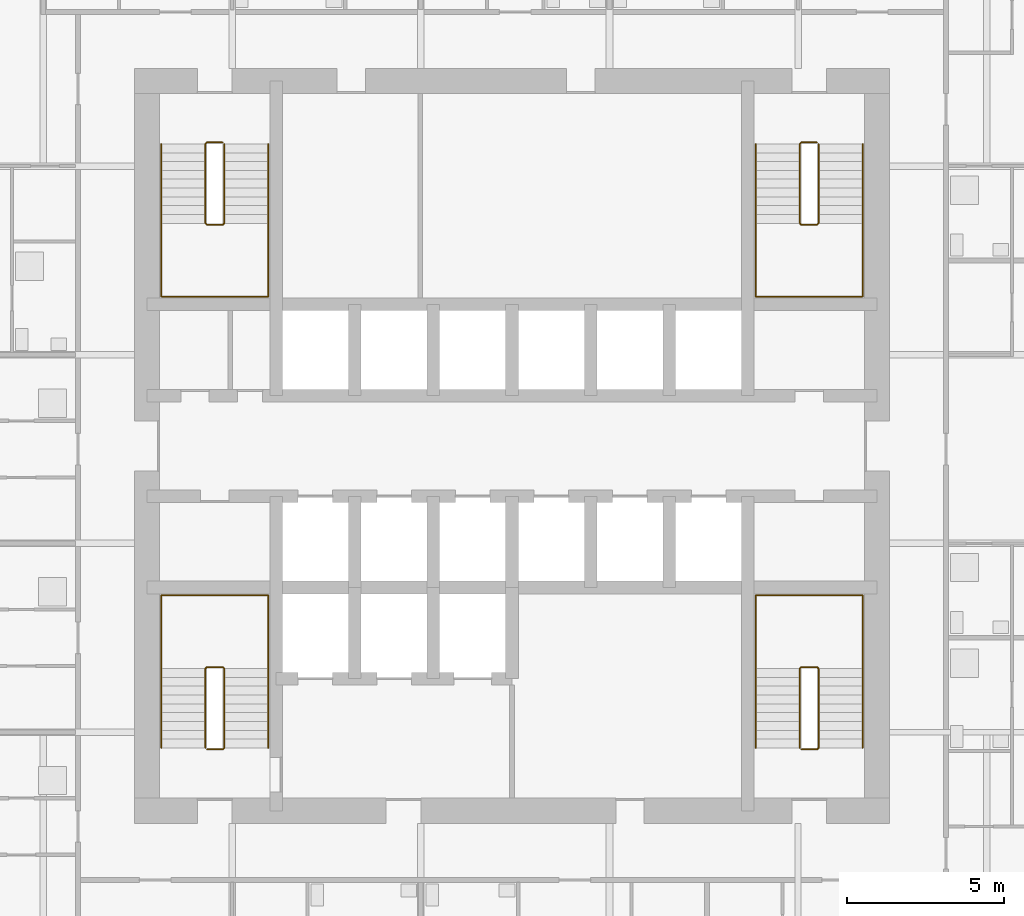
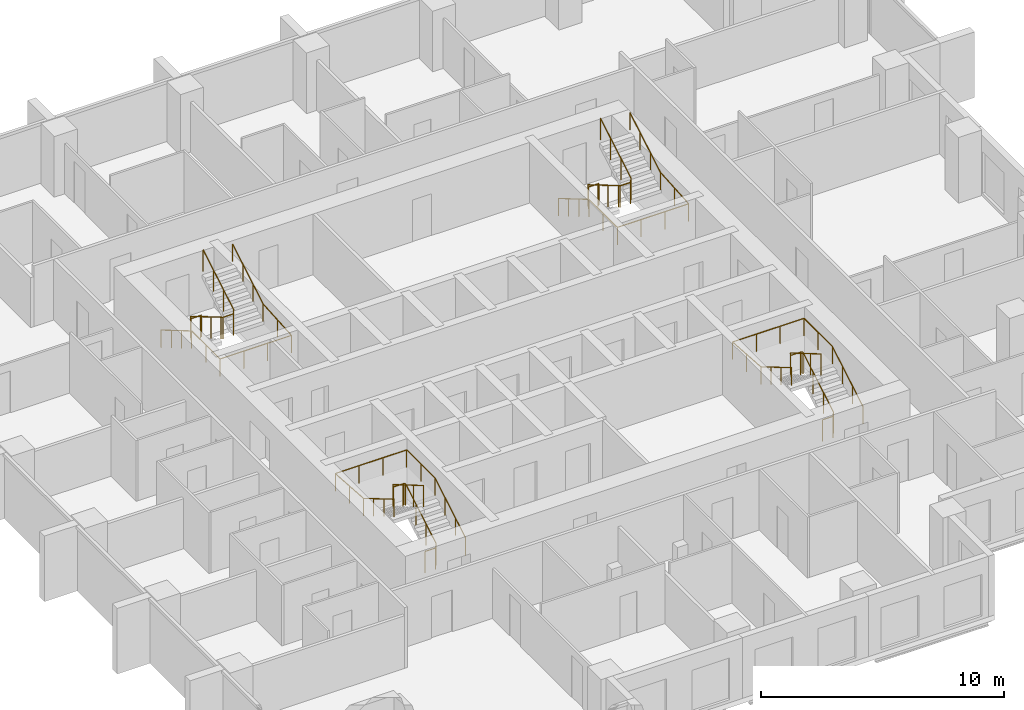
# One storey, part 9 of 10: 8 railings.
"""IFC4 building model written with IfcOpenShell, lengths in metres."""

from ifc_helpers import new_model, si_unit, direction, frame, origin, origin_2d, place, context, subcontext, project, spatial, circle, extrude, material, type_object, element, save


model = new_model("IFC4")

# Units and contexts
model_context = context("Model", 3, precision=1e-05, world=origin(), true_north=direction((0.0, 1.0)))
body_context = subcontext(model_context, "Body", "Model", "MODEL_VIEW")
ifc_project = project(units=[si_unit("LENGTHUNIT", "METRE"), si_unit("AREAUNIT", "SQUARE_METRE"), si_unit("VOLUMEUNIT", "CUBIC_METRE"), si_unit("PLANEANGLEUNIT", "RADIAN"), si_unit("MASSUNIT", "GRAM", prefix="KILO")], contexts=[model_context])

# Site, building, storey
site_placement = place(None, origin())
site = spatial("IfcSite", under=ifc_project, at=site_placement, CompositionType="ELEMENT")
building_placement = place(site_placement, origin())
building = spatial("IfcBuilding", under=site, at=building_placement, Name="Amberfall Residences", CompositionType="ELEMENT")
storey_placement = place(building_placement, frame((0.0, 0.0, 105.10009765625)))
storey = spatial("IfcBuildingStorey", under=building, at=storey_placement, Name="L28", CompositionType="ELEMENT", Elevation=105.10009765625)

# Railings
ifc_material = material(Name="Stainless steel 316", Category="steel")
railing_type_1 = type_object("IfcRailingType", Name="Stair guard 1100", PredefinedType="GUARDRAIL", material=ifc_material)
railing_1_placement = place(storey_placement, frame((64.800048828125, 35.85009765625, 0.0)))
element("IfcRailing", 1, at=railing_1_placement, inside=storey, type_object=railing_type_1, Name="L28 stair 1 guard", PredefinedType="GUARDRAIL", context=body_context, shape_type="SweptSolid", body=[
    extrude(circle(Radius=0.02392578125, at=origin_2d()), frame((0.0, 0.0, 1.076171875), z_axis=(1.0, 0.0, 0.0), x_axis=(0.0, 1.0, 0.0)), (0.0, 0.0, 1.0), 0.5),
    extrude(circle(Radius=0.02392578125, at=origin_2d()), frame((0.5, 0.0, 1.076171875), z_axis=(0.279159454702, 0.277797701265, 0.919183570361), x_axis=(-0.705375805398, 0.708833529934, 0.0)), (0.0, 0.0, 1.0), 0.17919921875),
    extrude(circle(Radius=0.02392578125, at=origin_2d()), frame((0.550048828125, 0.0498046875, 1.24072265625), z_axis=(0.0, 0.86152411907, 0.507716645641), x_axis=(-1.0, 0.0, 0.0)), (0.0, 0.0, 1.0), 2.925048828125),
    extrude(circle(Radius=0.02392578125, at=origin_2d()), frame((0.550048828125, 2.56982421875, 2.72607421875), z_axis=(-0.707106781187, 0.707106781187, 0.0), x_axis=(-0.707106781187, -0.707106781187, 0.0)), (0.0, 0.0, 1.0), 0.07080078125),
    extrude(circle(Radius=0.02392578125, at=origin_2d()), frame((0.5, 2.619873046875, 2.72607421875), z_axis=(-1.0, 0.0, 0.0), x_axis=(0.0, -1.0, 0.0)), (0.0, 0.0, 1.0), 0.5),
    extrude(circle(Radius=0.02392578125, at=origin_2d()), frame((0.0, 2.619873046875, 2.72607421875), z_axis=(-0.278705021027, -0.278705021027, 0.919046801044), x_axis=(0.707106781187, -0.707106781187, 0.0)), (0.0, 0.0, 1.0), 0.1796875),
    extrude(circle(Radius=0.02392578125, at=origin_2d()), frame((-0.050048828125, 2.56982421875, 2.89111328125), z_axis=(0.0, -0.861560626758, 0.507654692109), x_axis=(1.0, 0.0, 0.0)), (0.0, 0.0, 1.0), 2.925048828125),
    extrude(circle(Radius=0.02099609375, at=origin_2d()), origin(), (0.0, 0.0, 1.0), 1.052001953125),
    extrude(circle(Radius=0.02099609375, at=origin_2d()), frame((0.5, 0.0, 0.0)), (0.0, 0.0, 1.0), 1.052001953125),
    extrude(circle(Radius=0.02099609375, at=origin_2d()), frame((0.550048828125, 0.0498046875, 0.164794921875)), (0.0, 0.0, 1.0), 1.052001953125),
    extrude(circle(Radius=0.02099609375, at=origin_2d()), frame((0.550048828125, 0.889892578125, 0.659912109375)), (0.0, 0.0, 1.0), 1.052001953125),
    extrude(circle(Radius=0.02099609375, at=origin_2d()), frame((0.550048828125, 1.729736328125, 1.15478515625)), (0.0, 0.0, 1.0), 1.052001953125),
    extrude(circle(Radius=0.02099609375, at=origin_2d()), frame((0.550048828125, 2.56982421875, 1.64990234375)), (0.0, 0.0, 1.0), 1.052001953125),
    extrude(circle(Radius=0.02099609375, at=origin_2d()), frame((0.5, 2.619873046875, 1.64990234375)), (0.0, 0.0, 1.0), 1.052001953125),
    extrude(circle(Radius=0.02099609375, at=origin_2d()), frame((0.0, 2.619873046875, 1.64990234375)), (0.0, 0.0, 1.0), 1.052001953125),
    extrude(circle(Radius=0.02099609375, at=origin_2d()), frame((-0.050048828125, 2.56982421875, 1.81494140625)), (0.0, 0.0, 1.0), 1.052001953125),
    extrude(circle(Radius=0.02099609375, at=origin_2d()), frame((-0.050048828125, 1.729736328125, 2.309814453125)), (0.0, 0.0, 1.0), 1.052001953125),
    extrude(circle(Radius=0.02099609375, at=origin_2d()), frame((-0.050048828125, 0.889892578125, 2.804931640625)), (0.0, 0.0, 1.0), 1.052001953125),
    extrude(circle(Radius=0.02099609375, at=origin_2d()), frame((-0.050048828125, 0.0498046875, 3.2998046875)), (0.0, 0.0, 1.0), 1.052001953125),
])
railing_2_placement = place(storey_placement, frame((83.699951171875, 35.85009765625, 0.0)))
element("IfcRailing", 2, at=railing_2_placement, inside=storey, type_object=railing_type_1, Name="L28 stair 2 guard", PredefinedType="GUARDRAIL", context=body_context, shape_type="SweptSolid", body=[
    extrude(circle(Radius=0.02392578125, at=origin_2d()), frame((0.0, 0.0, 1.076171875), z_axis=(1.0, 0.0, 0.0), x_axis=(0.0, 1.0, 0.0)), (0.0, 0.0, 1.0), 0.5),
    extrude(circle(Radius=0.02392578125, at=origin_2d()), frame((0.5, 0.0, 1.076171875), z_axis=(0.279159454702, 0.277797701265, 0.919183570361), x_axis=(-0.705375805398, 0.708833529934, 0.0)), (0.0, 0.0, 1.0), 0.17919921875),
    extrude(circle(Radius=0.02392578125, at=origin_2d()), frame((0.550048828125, 0.0498046875, 1.24072265625), z_axis=(0.0, 0.86152411907, 0.507716645641), x_axis=(-1.0, 0.0, 0.0)), (0.0, 0.0, 1.0), 2.925048828125),
    extrude(circle(Radius=0.02392578125, at=origin_2d()), frame((0.550048828125, 2.56982421875, 2.72607421875), z_axis=(-0.707106781187, 0.707106781187, 0.0), x_axis=(-0.707106781187, -0.707106781187, 0.0)), (0.0, 0.0, 1.0), 0.07080078125),
    extrude(circle(Radius=0.02392578125, at=origin_2d()), frame((0.5, 2.619873046875, 2.72607421875), z_axis=(-1.0, 0.0, 0.0), x_axis=(0.0, -1.0, 0.0)), (0.0, 0.0, 1.0), 0.5),
    extrude(circle(Radius=0.02392578125, at=origin_2d()), frame((0.0, 2.619873046875, 2.72607421875), z_axis=(-0.278705021027, -0.278705021027, 0.919046801044), x_axis=(0.707106781187, -0.707106781187, 0.0)), (0.0, 0.0, 1.0), 0.1796875),
    extrude(circle(Radius=0.02392578125, at=origin_2d()), frame((-0.050048828125, 2.56982421875, 2.89111328125), z_axis=(0.0, -0.861560626758, 0.507654692109), x_axis=(1.0, 0.0, 0.0)), (0.0, 0.0, 1.0), 2.925048828125),
    extrude(circle(Radius=0.02099609375, at=origin_2d()), origin(), (0.0, 0.0, 1.0), 1.052001953125),
    extrude(circle(Radius=0.02099609375, at=origin_2d()), frame((0.5, 0.0, 0.0)), (0.0, 0.0, 1.0), 1.052001953125),
    extrude(circle(Radius=0.02099609375, at=origin_2d()), frame((0.550048828125, 0.0498046875, 0.164794921875)), (0.0, 0.0, 1.0), 1.052001953125),
    extrude(circle(Radius=0.02099609375, at=origin_2d()), frame((0.550048828125, 0.889892578125, 0.659912109375)), (0.0, 0.0, 1.0), 1.052001953125),
    extrude(circle(Radius=0.02099609375, at=origin_2d()), frame((0.550048828125, 1.729736328125, 1.15478515625)), (0.0, 0.0, 1.0), 1.052001953125),
    extrude(circle(Radius=0.02099609375, at=origin_2d()), frame((0.550048828125, 2.56982421875, 1.64990234375)), (0.0, 0.0, 1.0), 1.052001953125),
    extrude(circle(Radius=0.02099609375, at=origin_2d()), frame((0.5, 2.619873046875, 1.64990234375)), (0.0, 0.0, 1.0), 1.052001953125),
    extrude(circle(Radius=0.02099609375, at=origin_2d()), frame((0.0, 2.619873046875, 1.64990234375)), (0.0, 0.0, 1.0), 1.052001953125),
    extrude(circle(Radius=0.02099609375, at=origin_2d()), frame((-0.050048828125, 2.56982421875, 1.81494140625)), (0.0, 0.0, 1.0), 1.052001953125),
    extrude(circle(Radius=0.02099609375, at=origin_2d()), frame((-0.050048828125, 1.729736328125, 2.309814453125)), (0.0, 0.0, 1.0), 1.052001953125),
    extrude(circle(Radius=0.02099609375, at=origin_2d()), frame((-0.050048828125, 0.889892578125, 2.804931640625)), (0.0, 0.0, 1.0), 1.052001953125),
    extrude(circle(Radius=0.02099609375, at=origin_2d()), frame((-0.050048828125, 0.0498046875, 3.2998046875)), (0.0, 0.0, 1.0), 1.052001953125),
])
railing_3_placement = place(storey_placement, frame((84.199951171875, 55.14990234375, 0.0)))
element("IfcRailing", 3, at=railing_3_placement, inside=storey, type_object=railing_type_1, Name="L28 stair 3 guard", PredefinedType="GUARDRAIL", context=body_context, shape_type="SweptSolid", body=[
    extrude(circle(Radius=0.02392578125, at=origin_2d()), frame((0.0, 0.0, 1.076171875), z_axis=(-1.0, 0.0, 0.0), x_axis=(0.0, -1.0, 0.0)), (0.0, 0.0, 1.0), 0.5),
    extrude(circle(Radius=0.02392578125, at=origin_2d()), frame((-0.5, 0.0, 1.076171875), z_axis=(-0.279159454702, -0.277797701265, 0.919183570361), x_axis=(0.705375805398, -0.708833529934, 0.0)), (0.0, 0.0, 1.0), 0.17919921875),
    extrude(circle(Radius=0.02392578125, at=origin_2d()), frame((-0.550048828125, -0.0498046875, 1.24072265625), z_axis=(0.0, -0.86152411907, 0.507716645641), x_axis=(1.0, 0.0, 0.0)), (0.0, 0.0, 1.0), 2.925048828125),
    extrude(circle(Radius=0.02392578125, at=origin_2d()), frame((-0.550048828125, -2.56982421875, 2.72607421875), z_axis=(0.707106781187, -0.707106781187, 0.0), x_axis=(0.707106781187, 0.707106781187, 0.0)), (0.0, 0.0, 1.0), 0.07080078125),
    extrude(circle(Radius=0.02392578125, at=origin_2d()), frame((-0.5, -2.619873046875, 2.72607421875), z_axis=(1.0, 0.0, 0.0), x_axis=(0.0, 1.0, 0.0)), (0.0, 0.0, 1.0), 0.5),
    extrude(circle(Radius=0.02392578125, at=origin_2d()), frame((0.0, -2.619873046875, 2.72607421875), z_axis=(0.278705021027, 0.278705021027, 0.919046801044), x_axis=(-0.707106781187, 0.707106781187, 0.0)), (0.0, 0.0, 1.0), 0.1796875),
    extrude(circle(Radius=0.02392578125, at=origin_2d()), frame((0.050048828125, -2.56982421875, 2.89111328125), z_axis=(0.0, 0.861560626758, 0.507654692109), x_axis=(-1.0, 0.0, 0.0)), (0.0, 0.0, 1.0), 2.925048828125),
    extrude(circle(Radius=0.02099609375, at=origin_2d()), origin(), (0.0, 0.0, 1.0), 1.052001953125),
    extrude(circle(Radius=0.02099609375, at=origin_2d()), frame((-0.5, 0.0, 0.0)), (0.0, 0.0, 1.0), 1.052001953125),
    extrude(circle(Radius=0.02099609375, at=origin_2d()), frame((-0.550048828125, -0.0498046875, 0.164794921875)), (0.0, 0.0, 1.0), 1.052001953125),
    extrude(circle(Radius=0.02099609375, at=origin_2d()), frame((-0.550048828125, -0.889892578125, 0.659912109375)), (0.0, 0.0, 1.0), 1.052001953125),
    extrude(circle(Radius=0.02099609375, at=origin_2d()), frame((-0.550048828125, -1.729736328125, 1.15478515625)), (0.0, 0.0, 1.0), 1.052001953125),
    extrude(circle(Radius=0.02099609375, at=origin_2d()), frame((-0.550048828125, -2.56982421875, 1.64990234375)), (0.0, 0.0, 1.0), 1.052001953125),
    extrude(circle(Radius=0.02099609375, at=origin_2d()), frame((-0.5, -2.619873046875, 1.64990234375)), (0.0, 0.0, 1.0), 1.052001953125),
    extrude(circle(Radius=0.02099609375, at=origin_2d()), frame((0.0, -2.619873046875, 1.64990234375)), (0.0, 0.0, 1.0), 1.052001953125),
    extrude(circle(Radius=0.02099609375, at=origin_2d()), frame((0.050048828125, -2.56982421875, 1.81494140625)), (0.0, 0.0, 1.0), 1.052001953125),
    extrude(circle(Radius=0.02099609375, at=origin_2d()), frame((0.050048828125, -1.729736328125, 2.309814453125)), (0.0, 0.0, 1.0), 1.052001953125),
    extrude(circle(Radius=0.02099609375, at=origin_2d()), frame((0.050048828125, -0.889892578125, 2.804931640625)), (0.0, 0.0, 1.0), 1.052001953125),
    extrude(circle(Radius=0.02099609375, at=origin_2d()), frame((0.050048828125, -0.0498046875, 3.2998046875)), (0.0, 0.0, 1.0), 1.052001953125),
])
railing_4_placement = place(storey_placement, frame((65.300048828125, 55.14990234375, 0.0)))
element("IfcRailing", 4, at=railing_4_placement, inside=storey, type_object=railing_type_1, Name="L28 stair 4 guard", PredefinedType="GUARDRAIL", context=body_context, shape_type="SweptSolid", body=[
    extrude(circle(Radius=0.02392578125, at=origin_2d()), frame((0.0, 0.0, 1.076171875), z_axis=(-1.0, 0.0, 0.0), x_axis=(0.0, -1.0, 0.0)), (0.0, 0.0, 1.0), 0.5),
    extrude(circle(Radius=0.02392578125, at=origin_2d()), frame((-0.5, 0.0, 1.076171875), z_axis=(-0.279159454702, -0.277797701265, 0.919183570361), x_axis=(0.705375805398, -0.708833529934, 0.0)), (0.0, 0.0, 1.0), 0.17919921875),
    extrude(circle(Radius=0.02392578125, at=origin_2d()), frame((-0.550048828125, -0.0498046875, 1.24072265625), z_axis=(0.0, -0.86152411907, 0.507716645641), x_axis=(1.0, 0.0, 0.0)), (0.0, 0.0, 1.0), 2.925048828125),
    extrude(circle(Radius=0.02392578125, at=origin_2d()), frame((-0.550048828125, -2.56982421875, 2.72607421875), z_axis=(0.707106781187, -0.707106781187, 0.0), x_axis=(0.707106781187, 0.707106781187, 0.0)), (0.0, 0.0, 1.0), 0.07080078125),
    extrude(circle(Radius=0.02392578125, at=origin_2d()), frame((-0.5, -2.619873046875, 2.72607421875), z_axis=(1.0, 0.0, 0.0), x_axis=(0.0, 1.0, 0.0)), (0.0, 0.0, 1.0), 0.5),
    extrude(circle(Radius=0.02392578125, at=origin_2d()), frame((0.0, -2.619873046875, 2.72607421875), z_axis=(0.278705021027, 0.278705021027, 0.919046801044), x_axis=(-0.707106781187, 0.707106781187, 0.0)), (0.0, 0.0, 1.0), 0.1796875),
    extrude(circle(Radius=0.02392578125, at=origin_2d()), frame((0.050048828125, -2.56982421875, 2.89111328125), z_axis=(0.0, 0.861560626758, 0.507654692109), x_axis=(-1.0, 0.0, 0.0)), (0.0, 0.0, 1.0), 2.925048828125),
    extrude(circle(Radius=0.02099609375, at=origin_2d()), origin(), (0.0, 0.0, 1.0), 1.052001953125),
    extrude(circle(Radius=0.02099609375, at=origin_2d()), frame((-0.5, 0.0, 0.0)), (0.0, 0.0, 1.0), 1.052001953125),
    extrude(circle(Radius=0.02099609375, at=origin_2d()), frame((-0.550048828125, -0.0498046875, 0.164794921875)), (0.0, 0.0, 1.0), 1.052001953125),
    extrude(circle(Radius=0.02099609375, at=origin_2d()), frame((-0.550048828125, -0.889892578125, 0.659912109375)), (0.0, 0.0, 1.0), 1.052001953125),
    extrude(circle(Radius=0.02099609375, at=origin_2d()), frame((-0.550048828125, -1.729736328125, 1.15478515625)), (0.0, 0.0, 1.0), 1.052001953125),
    extrude(circle(Radius=0.02099609375, at=origin_2d()), frame((-0.550048828125, -2.56982421875, 1.64990234375)), (0.0, 0.0, 1.0), 1.052001953125),
    extrude(circle(Radius=0.02099609375, at=origin_2d()), frame((-0.5, -2.619873046875, 1.64990234375)), (0.0, 0.0, 1.0), 1.052001953125),
    extrude(circle(Radius=0.02099609375, at=origin_2d()), frame((0.0, -2.619873046875, 1.64990234375)), (0.0, 0.0, 1.0), 1.052001953125),
    extrude(circle(Radius=0.02099609375, at=origin_2d()), frame((0.050048828125, -2.56982421875, 1.81494140625)), (0.0, 0.0, 1.0), 1.052001953125),
    extrude(circle(Radius=0.02099609375, at=origin_2d()), frame((0.050048828125, -1.729736328125, 2.309814453125)), (0.0, 0.0, 1.0), 1.052001953125),
    extrude(circle(Radius=0.02099609375, at=origin_2d()), frame((0.050048828125, -0.889892578125, 2.804931640625)), (0.0, 0.0, 1.0), 1.052001953125),
    extrude(circle(Radius=0.02099609375, at=origin_2d()), frame((0.050048828125, -0.0498046875, 3.2998046875)), (0.0, 0.0, 1.0), 1.052001953125),
])
railing_type_2 = type_object("IfcRailingType", Name="Stair handrail 900", PredefinedType="HANDRAIL", material=ifc_material)
railing_5_placement = place(storey_placement, frame((66.75, 35.89990234375, 0.164794921875)))
element("IfcRailing", 5, at=railing_5_placement, inside=storey, type_object=railing_type_2, Name="L28 stair 1 handrail", PredefinedType="HANDRAIL", context=body_context, shape_type="SweptSolid", body=[
    extrude(circle(Radius=0.02392578125, at=origin_2d()), frame((0.0, 0.0, 0.8759765625), z_axis=(0.0, 0.86152411907, 0.507716645641), x_axis=(-1.0, 0.0, 0.0)), (0.0, 0.0, 1.0), 2.925048828125),
    extrude(circle(Radius=0.02392578125, at=origin_2d()), frame((0.0, 2.52001953125, 2.36083984375), z_axis=(0.0, 1.0, 0.0), x_axis=(-1.0, 0.0, 0.0)), (0.0, 0.0, 1.0), 2.330078125),
    extrude(circle(Radius=0.02392578125, at=origin_2d()), frame((0.0, 4.85009765625, 2.36083984375), z_axis=(-1.0, 0.0, 0.0), x_axis=(0.0, -1.0, 0.0)), (0.0, 0.0, 1.0), 3.39990234375),
    extrude(circle(Radius=0.02392578125, at=origin_2d()), frame((-3.39990234375, 4.85009765625, 2.36083984375), z_axis=(0.0, -0.997500965899, 0.07065283455), x_axis=(1.0, 0.0, 0.0)), (0.0, 0.0, 1.0), 2.3359375),
    extrude(circle(Radius=0.02392578125, at=origin_2d()), frame((-3.39990234375, 2.52001953125, 2.52587890625), z_axis=(0.0, -0.861560626758, 0.507654692109), x_axis=(1.0, 0.0, 0.0)), (0.0, 0.0, 1.0), 2.925048828125),
    extrude(circle(Radius=0.02099609375, at=origin_2d()), origin(), (0.0, 0.0, 1.0), 0.851806640625),
    extrude(circle(Radius=0.02099609375, at=origin_2d()), frame((0.0, 0.840087890625, 0.4951171875)), (0.0, 0.0, 1.0), 0.851806640625),
    extrude(circle(Radius=0.02099609375, at=origin_2d()), frame((0.0, 1.679931640625, 0.989990234375)), (0.0, 0.0, 1.0), 0.851806640625),
    extrude(circle(Radius=0.02099609375, at=origin_2d()), frame((0.0, 2.52001953125, 1.485107421875)), (0.0, 0.0, 1.0), 0.851806640625),
    extrude(circle(Radius=0.02099609375, at=origin_2d()), frame((0.0, 3.68505859375, 1.485107421875)), (0.0, 0.0, 1.0), 0.851806640625),
    extrude(circle(Radius=0.02099609375, at=origin_2d()), frame((0.0, 4.85009765625, 1.485107421875)), (0.0, 0.0, 1.0), 0.851806640625),
    extrude(circle(Radius=0.02099609375, at=origin_2d()), frame((-1.13330078125, 4.85009765625, 1.485107421875)), (0.0, 0.0, 1.0), 0.851806640625),
    extrude(circle(Radius=0.02099609375, at=origin_2d()), frame((-2.2666015625, 4.85009765625, 1.485107421875)), (0.0, 0.0, 1.0), 0.851806640625),
    extrude(circle(Radius=0.02099609375, at=origin_2d()), frame((-3.39990234375, 4.85009765625, 1.485107421875)), (0.0, 0.0, 1.0), 0.851806640625),
    extrude(circle(Radius=0.02099609375, at=origin_2d()), frame((-3.39990234375, 3.68505859375, 1.567626953125)), (0.0, 0.0, 1.0), 0.851806640625),
    extrude(circle(Radius=0.02099609375, at=origin_2d()), frame((-3.39990234375, 2.52001953125, 1.650146484375)), (0.0, 0.0, 1.0), 0.851806640625),
    extrude(circle(Radius=0.02099609375, at=origin_2d()), frame((-3.39990234375, 1.679931640625, 2.14501953125)), (0.0, 0.0, 1.0), 0.851806640625),
    extrude(circle(Radius=0.02099609375, at=origin_2d()), frame((-3.39990234375, 0.840087890625, 2.64013671875)), (0.0, 0.0, 1.0), 0.851806640625),
    extrude(circle(Radius=0.02099609375, at=origin_2d()), frame((-3.39990234375, 0.0, 3.135009765625)), (0.0, 0.0, 1.0), 0.851806640625),
])
railing_6_placement = place(storey_placement, frame((85.64990234375, 35.89990234375, 0.164794921875)))
element("IfcRailing", 6, at=railing_6_placement, inside=storey, type_object=railing_type_2, Name="L28 stair 2 handrail", PredefinedType="HANDRAIL", context=body_context, shape_type="SweptSolid", body=[
    extrude(circle(Radius=0.02392578125, at=origin_2d()), frame((0.0, 0.0, 0.8759765625), z_axis=(0.0, 0.86152411907, 0.507716645641), x_axis=(-1.0, 0.0, 0.0)), (0.0, 0.0, 1.0), 2.925048828125),
    extrude(circle(Radius=0.02392578125, at=origin_2d()), frame((0.0, 2.52001953125, 2.36083984375), z_axis=(0.0, 1.0, 0.0), x_axis=(-1.0, 0.0, 0.0)), (0.0, 0.0, 1.0), 2.330078125),
    extrude(circle(Radius=0.02392578125, at=origin_2d()), frame((0.0, 4.85009765625, 2.36083984375), z_axis=(-1.0, 0.0, 0.0), x_axis=(0.0, -1.0, 0.0)), (0.0, 0.0, 1.0), 3.39990234375),
    extrude(circle(Radius=0.02392578125, at=origin_2d()), frame((-3.39990234375, 4.85009765625, 2.36083984375), z_axis=(0.0, -0.997500965899, 0.07065283455), x_axis=(1.0, 0.0, 0.0)), (0.0, 0.0, 1.0), 2.3359375),
    extrude(circle(Radius=0.02392578125, at=origin_2d()), frame((-3.39990234375, 2.52001953125, 2.52587890625), z_axis=(0.0, -0.861560626758, 0.507654692109), x_axis=(1.0, 0.0, 0.0)), (0.0, 0.0, 1.0), 2.925048828125),
    extrude(circle(Radius=0.02099609375, at=origin_2d()), origin(), (0.0, 0.0, 1.0), 0.851806640625),
    extrude(circle(Radius=0.02099609375, at=origin_2d()), frame((0.0, 0.840087890625, 0.4951171875)), (0.0, 0.0, 1.0), 0.851806640625),
    extrude(circle(Radius=0.02099609375, at=origin_2d()), frame((0.0, 1.679931640625, 0.989990234375)), (0.0, 0.0, 1.0), 0.851806640625),
    extrude(circle(Radius=0.02099609375, at=origin_2d()), frame((0.0, 2.52001953125, 1.485107421875)), (0.0, 0.0, 1.0), 0.851806640625),
    extrude(circle(Radius=0.02099609375, at=origin_2d()), frame((0.0, 3.68505859375, 1.485107421875)), (0.0, 0.0, 1.0), 0.851806640625),
    extrude(circle(Radius=0.02099609375, at=origin_2d()), frame((0.0, 4.85009765625, 1.485107421875)), (0.0, 0.0, 1.0), 0.851806640625),
    extrude(circle(Radius=0.02099609375, at=origin_2d()), frame((-1.13330078125, 4.85009765625, 1.485107421875)), (0.0, 0.0, 1.0), 0.851806640625),
    extrude(circle(Radius=0.02099609375, at=origin_2d()), frame((-2.2666015625, 4.85009765625, 1.485107421875)), (0.0, 0.0, 1.0), 0.851806640625),
    extrude(circle(Radius=0.02099609375, at=origin_2d()), frame((-3.39990234375, 4.85009765625, 1.485107421875)), (0.0, 0.0, 1.0), 0.851806640625),
    extrude(circle(Radius=0.02099609375, at=origin_2d()), frame((-3.39990234375, 3.68505859375, 1.567626953125)), (0.0, 0.0, 1.0), 0.851806640625),
    extrude(circle(Radius=0.02099609375, at=origin_2d()), frame((-3.39990234375, 2.52001953125, 1.650146484375)), (0.0, 0.0, 1.0), 0.851806640625),
    extrude(circle(Radius=0.02099609375, at=origin_2d()), frame((-3.39990234375, 1.679931640625, 2.14501953125)), (0.0, 0.0, 1.0), 0.851806640625),
    extrude(circle(Radius=0.02099609375, at=origin_2d()), frame((-3.39990234375, 0.840087890625, 2.64013671875)), (0.0, 0.0, 1.0), 0.851806640625),
    extrude(circle(Radius=0.02099609375, at=origin_2d()), frame((-3.39990234375, 0.0, 3.135009765625)), (0.0, 0.0, 1.0), 0.851806640625),
])
railing_7_placement = place(storey_placement, frame((82.25, 55.10009765625, 0.164794921875)))
element("IfcRailing", 7, at=railing_7_placement, inside=storey, type_object=railing_type_2, Name="L28 stair 3 handrail", PredefinedType="HANDRAIL", context=body_context, shape_type="SweptSolid", body=[
    extrude(circle(Radius=0.02392578125, at=origin_2d()), frame((0.0, 0.0, 0.8759765625), z_axis=(0.0, -0.86152411907, 0.507716645641), x_axis=(1.0, 0.0, 0.0)), (0.0, 0.0, 1.0), 2.925048828125),
    extrude(circle(Radius=0.02392578125, at=origin_2d()), frame((0.0, -2.52001953125, 2.36083984375), z_axis=(0.0, -1.0, 0.0), x_axis=(1.0, 0.0, 0.0)), (0.0, 0.0, 1.0), 2.330078125),
    extrude(circle(Radius=0.02392578125, at=origin_2d()), frame((0.0, -4.85009765625, 2.36083984375), z_axis=(1.0, 0.0, 0.0), x_axis=(0.0, 1.0, 0.0)), (0.0, 0.0, 1.0), 3.39990234375),
    extrude(circle(Radius=0.02392578125, at=origin_2d()), frame((3.39990234375, -4.85009765625, 2.36083984375), z_axis=(0.0, 0.997500965899, 0.07065283455), x_axis=(-1.0, 0.0, 0.0)), (0.0, 0.0, 1.0), 2.3359375),
    extrude(circle(Radius=0.02392578125, at=origin_2d()), frame((3.39990234375, -2.52001953125, 2.52587890625), z_axis=(0.0, 0.861560626758, 0.507654692109), x_axis=(-1.0, 0.0, 0.0)), (0.0, 0.0, 1.0), 2.925048828125),
    extrude(circle(Radius=0.02099609375, at=origin_2d()), origin(), (0.0, 0.0, 1.0), 0.851806640625),
    extrude(circle(Radius=0.02099609375, at=origin_2d()), frame((0.0, -0.840087890625, 0.4951171875)), (0.0, 0.0, 1.0), 0.851806640625),
    extrude(circle(Radius=0.02099609375, at=origin_2d()), frame((0.0, -1.679931640625, 0.989990234375)), (0.0, 0.0, 1.0), 0.851806640625),
    extrude(circle(Radius=0.02099609375, at=origin_2d()), frame((0.0, -2.52001953125, 1.485107421875)), (0.0, 0.0, 1.0), 0.851806640625),
    extrude(circle(Radius=0.02099609375, at=origin_2d()), frame((0.0, -3.68505859375, 1.485107421875)), (0.0, 0.0, 1.0), 0.851806640625),
    extrude(circle(Radius=0.02099609375, at=origin_2d()), frame((0.0, -4.85009765625, 1.485107421875)), (0.0, 0.0, 1.0), 0.851806640625),
    extrude(circle(Radius=0.02099609375, at=origin_2d()), frame((1.13330078125, -4.85009765625, 1.485107421875)), (0.0, 0.0, 1.0), 0.851806640625),
    extrude(circle(Radius=0.02099609375, at=origin_2d()), frame((2.2666015625, -4.85009765625, 1.485107421875)), (0.0, 0.0, 1.0), 0.851806640625),
    extrude(circle(Radius=0.02099609375, at=origin_2d()), frame((3.39990234375, -4.85009765625, 1.485107421875)), (0.0, 0.0, 1.0), 0.851806640625),
    extrude(circle(Radius=0.02099609375, at=origin_2d()), frame((3.39990234375, -3.68505859375, 1.567626953125)), (0.0, 0.0, 1.0), 0.851806640625),
    extrude(circle(Radius=0.02099609375, at=origin_2d()), frame((3.39990234375, -2.52001953125, 1.650146484375)), (0.0, 0.0, 1.0), 0.851806640625),
    extrude(circle(Radius=0.02099609375, at=origin_2d()), frame((3.39990234375, -1.679931640625, 2.14501953125)), (0.0, 0.0, 1.0), 0.851806640625),
    extrude(circle(Radius=0.02099609375, at=origin_2d()), frame((3.39990234375, -0.840087890625, 2.64013671875)), (0.0, 0.0, 1.0), 0.851806640625),
    extrude(circle(Radius=0.02099609375, at=origin_2d()), frame((3.39990234375, 0.0, 3.135009765625)), (0.0, 0.0, 1.0), 0.851806640625),
])
railing_8_placement = place(storey_placement, frame((63.35009765625, 55.10009765625, 0.164794921875)))
element("IfcRailing", 8, at=railing_8_placement, inside=storey, type_object=railing_type_2, Name="L28 stair 4 handrail", PredefinedType="HANDRAIL", context=body_context, shape_type="SweptSolid", body=[
    extrude(circle(Radius=0.02392578125, at=origin_2d()), frame((0.0, 0.0, 0.8759765625), z_axis=(0.0, -0.86152411907, 0.507716645641), x_axis=(1.0, 0.0, 0.0)), (0.0, 0.0, 1.0), 2.925048828125),
    extrude(circle(Radius=0.02392578125, at=origin_2d()), frame((0.0, -2.52001953125, 2.36083984375), z_axis=(0.0, -1.0, 0.0), x_axis=(1.0, 0.0, 0.0)), (0.0, 0.0, 1.0), 2.330078125),
    extrude(circle(Radius=0.02392578125, at=origin_2d()), frame((0.0, -4.85009765625, 2.36083984375), z_axis=(1.0, 0.0, 0.0), x_axis=(0.0, 1.0, 0.0)), (0.0, 0.0, 1.0), 3.39990234375),
    extrude(circle(Radius=0.02392578125, at=origin_2d()), frame((3.39990234375, -4.85009765625, 2.36083984375), z_axis=(0.0, 0.997500965899, 0.07065283455), x_axis=(-1.0, 0.0, 0.0)), (0.0, 0.0, 1.0), 2.3359375),
    extrude(circle(Radius=0.02392578125, at=origin_2d()), frame((3.39990234375, -2.52001953125, 2.52587890625), z_axis=(0.0, 0.861560626758, 0.507654692109), x_axis=(-1.0, 0.0, 0.0)), (0.0, 0.0, 1.0), 2.925048828125),
    extrude(circle(Radius=0.02099609375, at=origin_2d()), origin(), (0.0, 0.0, 1.0), 0.851806640625),
    extrude(circle(Radius=0.02099609375, at=origin_2d()), frame((0.0, -0.840087890625, 0.4951171875)), (0.0, 0.0, 1.0), 0.851806640625),
    extrude(circle(Radius=0.02099609375, at=origin_2d()), frame((0.0, -1.679931640625, 0.989990234375)), (0.0, 0.0, 1.0), 0.851806640625),
    extrude(circle(Radius=0.02099609375, at=origin_2d()), frame((0.0, -2.52001953125, 1.485107421875)), (0.0, 0.0, 1.0), 0.851806640625),
    extrude(circle(Radius=0.02099609375, at=origin_2d()), frame((0.0, -3.68505859375, 1.485107421875)), (0.0, 0.0, 1.0), 0.851806640625),
    extrude(circle(Radius=0.02099609375, at=origin_2d()), frame((0.0, -4.85009765625, 1.485107421875)), (0.0, 0.0, 1.0), 0.851806640625),
    extrude(circle(Radius=0.02099609375, at=origin_2d()), frame((1.13330078125, -4.85009765625, 1.485107421875)), (0.0, 0.0, 1.0), 0.851806640625),
    extrude(circle(Radius=0.02099609375, at=origin_2d()), frame((2.2666015625, -4.85009765625, 1.485107421875)), (0.0, 0.0, 1.0), 0.851806640625),
    extrude(circle(Radius=0.02099609375, at=origin_2d()), frame((3.39990234375, -4.85009765625, 1.485107421875)), (0.0, 0.0, 1.0), 0.851806640625),
    extrude(circle(Radius=0.02099609375, at=origin_2d()), frame((3.39990234375, -3.68505859375, 1.567626953125)), (0.0, 0.0, 1.0), 0.851806640625),
    extrude(circle(Radius=0.02099609375, at=origin_2d()), frame((3.39990234375, -2.52001953125, 1.650146484375)), (0.0, 0.0, 1.0), 0.851806640625),
    extrude(circle(Radius=0.02099609375, at=origin_2d()), frame((3.39990234375, -1.679931640625, 2.14501953125)), (0.0, 0.0, 1.0), 0.851806640625),
    extrude(circle(Radius=0.02099609375, at=origin_2d()), frame((3.39990234375, -0.840087890625, 2.64013671875)), (0.0, 0.0, 1.0), 0.851806640625),
    extrude(circle(Radius=0.02099609375, at=origin_2d()), frame((3.39990234375, 0.0, 3.135009765625)), (0.0, 0.0, 1.0), 0.851806640625),
])

save(model, "model.ifc")
